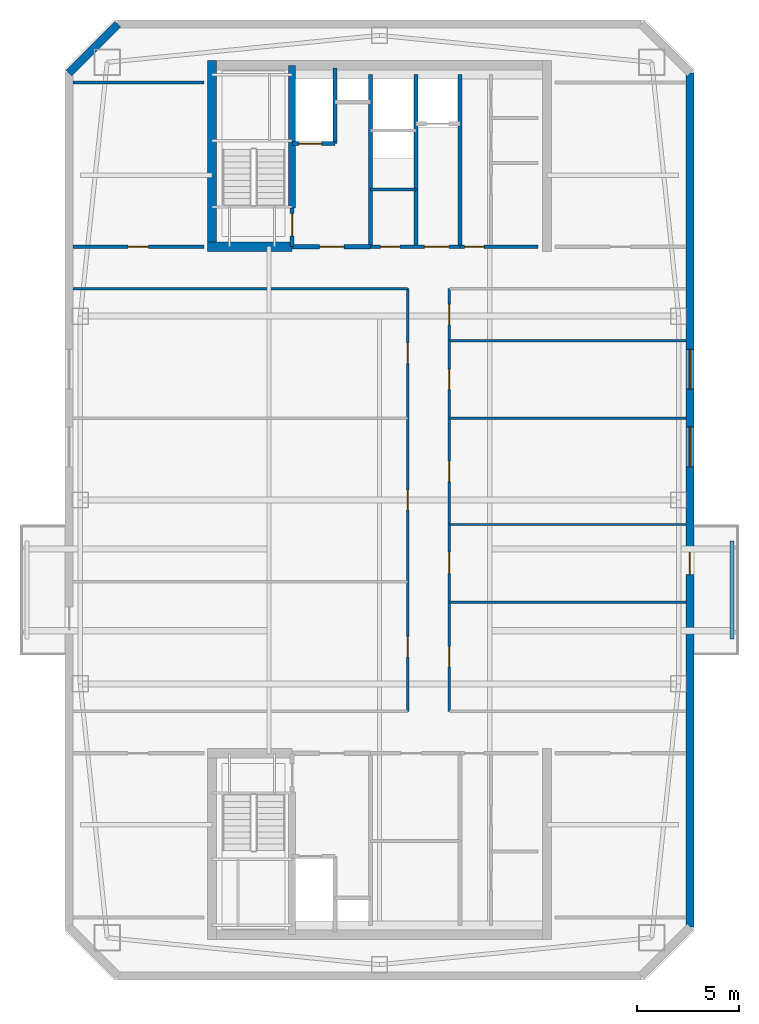
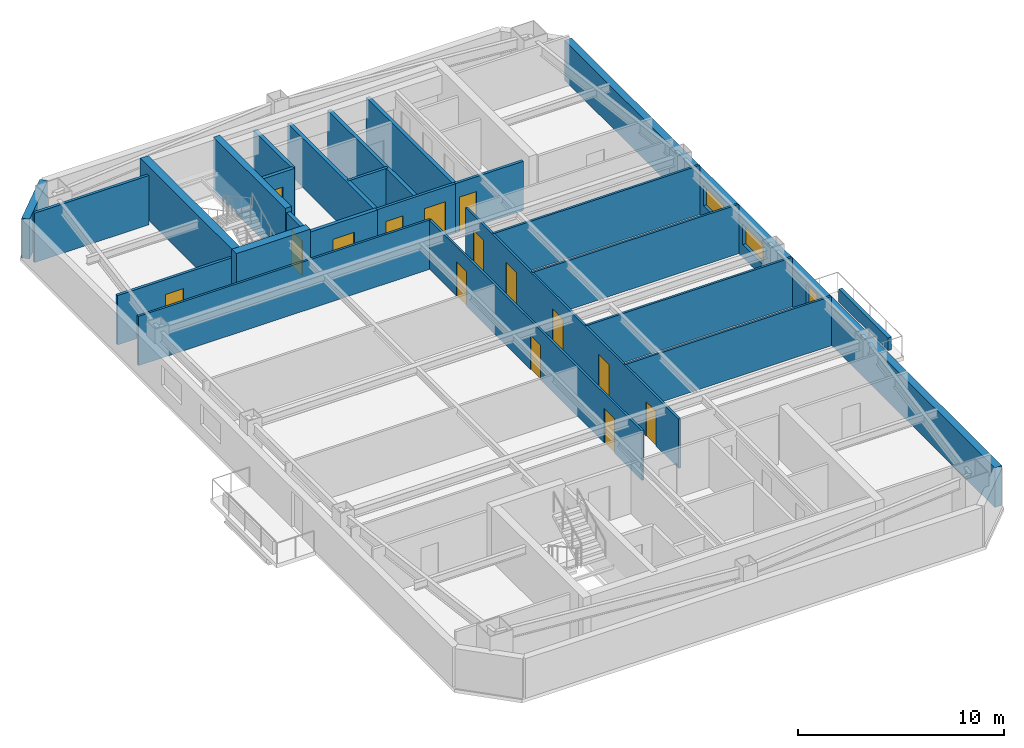
# One storey, part 3 of 6: 25 walls, 16 doors, 2 windows, 18 openings.
"""IFC4 building model written with IfcOpenShell, lengths in metres."""

from ifc_helpers import new_model, si_unit, direction, frame, frame_2d, origin, place, context, subcontext, project, spatial, rectangle, extrude, material, layer, layer_set, type_object, element, fill, save


model = new_model("IFC4")

# Units and contexts
model_context = context("Model", 3, precision=1e-05, world=origin(), true_north=direction((0.0, 1.0)))
body_context = subcontext(model_context, "Body", "Model", "MODEL_VIEW")
ifc_project = project(units=[si_unit("LENGTHUNIT", "METRE"), si_unit("AREAUNIT", "SQUARE_METRE"), si_unit("VOLUMEUNIT", "CUBIC_METRE"), si_unit("PLANEANGLEUNIT", "RADIAN"), si_unit("MASSUNIT", "GRAM", prefix="KILO")], contexts=[model_context])

# Site, building, storey
site_placement = place(None, origin())
site = spatial("IfcSite", under=ifc_project, at=site_placement, CompositionType="ELEMENT")
building_placement = place(site_placement, origin())
building = spatial("IfcBuilding", under=site, at=building_placement, Name="Qiaolan Cultural Towers", CompositionType="ELEMENT")
storey_placement = place(building_placement, frame((0.0, 0.0, 269.60009765625)))
storey = spatial("IfcBuildingStorey", under=building, at=storey_placement, Name="L74", CompositionType="ELEMENT", Elevation=269.60009765625)

# Walls
ifc_material_1 = material(Name="Concrete C50", Category="concrete")
ifc_layer_1 = layer(ifc_material_1, 0.35009765625)
ifc_layer_set_1 = layer_set([ifc_layer_1], Name="Concrete C50")
wall_type_1 = type_object("IfcWallType", Name="WL-CORE-350", PredefinedType="SHEAR", material=ifc_layer_set_1)
wall_1_placement = place(storey_placement, frame((25.719970703125, 48.300048828125, 0.0), z_axis=(0.0, 0.0, 1.0), x_axis=(0.0, 1.0, 0.0)))
element("IfcWall", 1, at=wall_1_placement, inside=storey, type_object=wall_type_1, Name="L74 T1-CN Stair Core Dividing Web", PredefinedType="SHEAR", context=body_context, shape_type="SweptSolid", body=[
    extrude(rectangle(XDim=6.97998046875, YDim=0.35009765625, at=frame_2d((3.489990234375, 0.0))), origin(), (0.0, 0.0, 1.0), 3.199951171875),
])
ifc_material_2 = material(Name="Concrete C50", Category="concrete")
ifc_layer_2 = layer(ifc_material_2, 0.449951171875)
ifc_layer_set_2 = layer_set([ifc_layer_2], Name="Concrete C50")
wall_type_2 = type_object("IfcWallType", Name="WL-CORE-450", PredefinedType="SHEAR", material=ifc_layer_set_2)
wall_2_placement = place(storey_placement, frame((21.800048828125, 46.175048828125, 0.0), z_axis=(0.0, 0.0, 1.0), x_axis=(0.0, 1.0, 0.0)))
element("IfcWall", 2, at=wall_2_placement, inside=storey, type_object=wall_type_2, Name="L74 T1-CN West Core Shear Wall", PredefinedType="SHEAR", context=body_context, shape_type="SweptSolid", body=[
    extrude(rectangle(XDim=9.329833984375, YDim=0.449951171875, at=frame_2d((4.6650390625, 0.0))), origin(), (0.0, 0.0, 1.0), 3.199951171875),
])
wall_3_placement = place(storey_placement, frame((21.574951171875, 46.39990234375, 0.0), z_axis=(0.0, 0.0, 1.0), x_axis=(1.0, 0.0, 0.0)))
element("IfcWall", 3, at=wall_3_placement, inside=storey, type_object=wall_type_2, Name="L74 T1-CN Stair Front Shear Wall", PredefinedType="SHEAR", context=body_context, shape_type="SweptSolid", body=[
    extrude(rectangle(XDim=4.14501953125, YDim=0.449951171875, at=frame_2d((2.072509765625, 0.0))), origin(), (0.0, 0.0, 1.0), 3.199951171875),
])
ifc_material_3 = material(Name="Precast Concrete C50 Honed Stone Pier", Category="masonry")
ifc_layer_3 = layer(ifc_material_3, 0.39990234375)
ifc_layer_set_3 = layer_set([ifc_layer_3], Name="Precast Concrete C50 Honed Stone Pier")
wall_type_3 = type_object("IfcWallType", Name="WL-EXT-PIER-400", PredefinedType="SOLIDWALL", material=ifc_layer_set_3)
wall_4_placement = place(storey_placement, frame((14.800048828125, 54.89990234375, 0.0), z_axis=(0.0, 0.0, 1.0), x_axis=(0.707070815327, 0.707142745217, 0.0)))
element("IfcWall", 4, at=wall_4_placement, inside=storey, type_object=wall_type_3, Name="L74 West Tower Precast Pier Facade Wall F2", PredefinedType="SOLIDWALL", context=body_context, shape_type="SweptSolid", body=[
    extrude(rectangle(XDim=3.39404296875, YDim=0.39990234375, at=frame_2d((1.697021484375, 0.0))), origin(), (0.0, 0.0, 1.0), 2.35986328125),
])

# Wall, openings, door, windows
wall_5_placement = place(storey_placement, frame((45.199951171875, 54.89990234375, 0.0), z_axis=(0.0, 0.0, 1.0), x_axis=(0.0, -1.0, 0.0)))
wall_5 = element("IfcWall", 5, at=wall_5_placement, inside=storey, type_object=wall_type_3, Name="L74 West Tower Precast Pier Facade Wall F5", PredefinedType="SOLIDWALL", context=body_context, shape_type="SweptSolid", body=[
    extrude(rectangle(XDim=41.7998046875, YDim=0.39990234375, at=frame_2d((20.89990234375, 0.0))), origin(), (0.0, 0.0, 1.0), 2.35986328125),
])
opening_1_placement = place(wall_5_placement, frame((17.324951171875, 0.0, 0.75)))
opening_1 = element("IfcOpeningElement", 6, at=opening_1_placement, cuts=wall_5, Name="Opening W-06", PredefinedType="OPENING", context=body_context, shape_type="SweptSolid", body=[
    extrude(rectangle(XDim=1.949951171875, YDim=1.2099609375, at=frame_2d((0.97509765625, 0.60498046875))), frame((0.0, 0.2099609375, 0.0), z_axis=(0.0, -1.0, 0.0), x_axis=(1.0, 0.0, 0.0)), (0.0, 0.0, 1.0), 0.419921875),
])
opening_2_placement = place(wall_5_placement, frame((13.52490234375, 0.0, 0.75)))
opening_2 = element("IfcOpeningElement", 7, at=opening_2_placement, cuts=wall_5, Name="Opening W-06", PredefinedType="OPENING", context=body_context, shape_type="SweptSolid", body=[
    extrude(rectangle(XDim=1.949951171875, YDim=1.2099609375, at=frame_2d((0.97509765625, 0.60498046875))), frame((0.0, 0.2099609375, 0.0), z_axis=(0.0, -1.0, 0.0), x_axis=(1.0, 0.0, 0.0)), (0.0, 0.0, 1.0), 0.419921875),
])
opening_3_placement = place(wall_5_placement, frame((23.449951171875, 0.0, 0.0)))
opening_3 = element("IfcOpeningElement", 8, at=opening_3_placement, cuts=wall_5, Name="Opening BD-01", PredefinedType="OPENING", context=body_context, shape_type="SweptSolid", body=[
    extrude(rectangle(XDim=1.10009765625, YDim=2.14990234375, at=frame_2d((0.550048828125, 1.074951171875))), frame((0.0, 0.2099609375, 0.0), z_axis=(0.0, -1.0, 0.0), x_axis=(1.0, 0.0, 0.0)), (0.0, 0.0, 1.0), 0.419921875),
])
ifc_material_4 = material(Name="Thermally Broken Aluminium Glazed Terrace Door", Category="aluminium")
door_type_1 = type_object("IfcDoorType", Name="DR-BAL-1100", OperationType="NOTDEFINED", PredefinedType="DOOR", material=ifc_material_4)
door_1_placement = place(opening_3_placement, origin())
door_1 = element("IfcDoor", 9, at=door_1_placement, inside=storey, type_object=door_type_1, Name="L74 T1 East Tree Balcony Door", OperationType="SINGLE_SWING_RIGHT", OverallHeight=2.14990234375, OverallWidth=1.10009765625, PredefinedType="DOOR", context=body_context, shape_type="SweptSolid", body=[
    extrude(rectangle(XDim=1.10009765625, YDim=2.14990234375, at=frame_2d((0.550048828125, 1.074951171875))), frame((0.0, 0.02490234375, 0.0), z_axis=(0.0, -1.0, 0.0), x_axis=(1.0, 0.0, 0.0)), (0.0, 0.0, 1.0), 0.050048828125),
])
fill(opening_3, door_1)
ifc_material_5 = material(Name="Thermally Broken Aluminium Triple Low-E Glazing", Category="aluminium")
window_type = type_object("IfcWindowType", Name="WN-CHIC-1950", PartitioningType="SINGLE_PANEL", PredefinedType="WINDOW", material=ifc_material_5)
window_1_placement = place(opening_1_placement, origin())
window_1 = element("IfcWindow", 10, at=window_1_placement, inside=storey, type_object=window_type, Name="L74 T1 E Chicago Bay Window 1", OverallHeight=1.2099609375, OverallWidth=1.949951171875, PartitioningType="TRIPLE_PANEL_VERTICAL", PredefinedType="WINDOW", context=body_context, shape_type="SweptSolid", body=[
    extrude(rectangle(XDim=1.949951171875, YDim=1.2099609375, at=frame_2d((0.97509765625, 0.60498046875))), frame((0.0, 0.030029296875, 0.0), z_axis=(0.0, -1.0, 0.0), x_axis=(1.0, 0.0, 0.0)), (0.0, 0.0, 1.0), 0.06005859375),
])
fill(opening_1, window_1)
window_2_placement = place(opening_2_placement, origin())
window_2 = element("IfcWindow", 11, at=window_2_placement, inside=storey, type_object=window_type, Name="L74 T1 E Chicago Bay Window 2", OverallHeight=1.2099609375, OverallWidth=1.949951171875, PartitioningType="TRIPLE_PANEL_VERTICAL", PredefinedType="WINDOW", context=body_context, shape_type="SweptSolid", body=[
    extrude(rectangle(XDim=1.949951171875, YDim=1.2099609375, at=frame_2d((0.97509765625, 0.60498046875))), frame((0.0, 0.030029296875, 0.0), z_axis=(0.0, -1.0, 0.0), x_axis=(1.0, 0.0, 0.0)), (0.0, 0.0, 1.0), 0.06005859375),
])
fill(opening_2, window_2)

# Wall, opening, door
ifc_material_6 = material(Name="Concrete C35 Fire Wall", Category="concrete")
ifc_layer_4 = layer(ifc_material_6, 0.199951171875)
ifc_layer_set_4 = layer_set([ifc_layer_4], Name="Concrete C35 Fire Wall")
wall_type_4 = type_object("IfcWallType", Name="WL-FIRE-200", PredefinedType="PARTITIONING", material=ifc_layer_set_4)
wall_6_placement = place(storey_placement, frame((25.719970703125, 46.39990234375, 0.0), z_axis=(0.0, 0.0, 1.0), x_axis=(0.0, 1.0, 0.0)))
wall_6 = element("IfcWall", 12, at=wall_6_placement, inside=storey, type_object=wall_type_4, Name="L74 T1-CN Smokeproof Stair Entry Wall", PredefinedType="PARTITIONING", context=body_context, shape_type="SweptSolid", body=[
    extrude(rectangle(XDim=1.900146484375, YDim=0.199951171875, at=frame_2d((0.9501953125, 0.0))), origin(), (0.0, 0.0, 1.0), 2.9248046875),
])
opening_4_placement = place(wall_6_placement, frame((0.52001953125, 0.0, 0.0)))
opening_4 = element("IfcOpeningElement", 13, at=opening_4_placement, cuts=wall_6, Name="Opening FD-04", PredefinedType="OPENING", context=body_context, shape_type="SweptSolid", body=[
    extrude(rectangle(XDim=1.10009765625, YDim=2.050048828125, at=frame_2d((0.550048828125, 1.02490234375))), frame((0.0, 0.10986328125, 0.0), z_axis=(0.0, -1.0, 0.0), x_axis=(1.0, 0.0, 0.0)), (0.0, 0.0, 1.0), 0.219970703125),
])
ifc_material_7 = material(Name="Galvanized Steel Command Fire Door", Category="steel")
door_type_2 = type_object("IfcDoorType", Name="DR-FD90-1100", OperationType="NOTDEFINED", PredefinedType="DOOR", material=ifc_material_7)
door_2_placement = place(opening_4_placement, origin())
door_2 = element("IfcDoor", 14, at=door_2_placement, inside=storey, type_object=door_type_2, Name="L74 ST-W2 Smokeproof Stair Fire Door", OperationType="SINGLE_SWING_LEFT", OverallHeight=2.050048828125, OverallWidth=1.10009765625, PredefinedType="DOOR", context=body_context, shape_type="SweptSolid", body=[
    extrude(rectangle(XDim=1.10009765625, YDim=2.050048828125, at=frame_2d((0.550048828125, 1.02490234375))), frame((0.0, 0.02490234375, 0.0), z_axis=(0.0, -1.0, 0.0), x_axis=(1.0, 0.0, 0.0)), (0.0, 0.0, 1.0), 0.050048828125),
])
fill(opening_4, door_2)

# Wall
wall_7_placement = place(storey_placement, frame((29.550048828125, 46.39990234375, 0.0), z_axis=(0.0, 0.0, 1.0), x_axis=(0.0, 1.0, 0.0)))
element("IfcWall", 15, at=wall_7_placement, inside=storey, type_object=wall_type_4, Name="L74 T1-CN Firefighting Zone Wall", PredefinedType="PARTITIONING", context=body_context, shape_type="SweptSolid", body=[
    extrude(rectangle(XDim=8.43017578125, YDim=0.199951171875, at=frame_2d((4.215087890625, 0.0))), origin(), (0.0, 0.0, 1.0), 2.9248046875),
])

# Wall, opening, door
wall_8_placement = place(storey_placement, frame((25.719970703125, 46.39990234375, 0.0), z_axis=(0.0, 0.0, 1.0), x_axis=(1.0, 0.0, 0.0)))
wall_8 = element("IfcWall", 16, at=wall_8_placement, inside=storey, type_object=wall_type_4, Name="L74 T1-CN Firefighting Lobby Front Wall", PredefinedType="PARTITIONING", context=body_context, shape_type="SweptSolid", body=[
    extrude(rectangle(XDim=3.830078125, YDim=0.199951171875, at=frame_2d((1.9150390625, 0.0))), origin(), (0.0, 0.0, 1.0), 2.9248046875),
])
opening_5_placement = place(wall_8_placement, frame((1.35009765625, 0.0, 0.0)))
opening_5 = element("IfcOpeningElement", 17, at=opening_5_placement, cuts=wall_8, Name="Opening FD-03", PredefinedType="OPENING", context=body_context, shape_type="SweptSolid", body=[
    extrude(rectangle(XDim=1.199951171875, YDim=2.050048828125, at=frame_2d((0.60009765625, 1.02490234375))), frame((0.0, 0.10986328125, 0.0), z_axis=(0.0, -1.0, 0.0), x_axis=(1.0, 0.0, 0.0)), (0.0, 0.0, 1.0), 0.219970703125),
])
ifc_material_8 = material(Name="Galvanized Steel Smokeproof Lobby Fire Door", Category="steel")
door_type_3 = type_object("IfcDoorType", Name="DR-FD90-1200", OperationType="NOTDEFINED", PredefinedType="DOOR", material=ifc_material_8)
door_3_placement = place(opening_5_placement, origin())
door_3 = element("IfcDoor", 18, at=door_3_placement, inside=storey, type_object=door_type_3, Name="L74 FFL-W2 Firefighting Lobby Fire Door", OperationType="SINGLE_SWING_LEFT", OverallHeight=2.050048828125, OverallWidth=1.199951171875, PredefinedType="DOOR", context=body_context, shape_type="SweptSolid", body=[
    extrude(rectangle(XDim=1.199951171875, YDim=2.050048828125, at=frame_2d((0.60009765625, 1.02490234375))), frame((0.0, 0.02490234375, 0.0), z_axis=(0.0, -1.0, 0.0), x_axis=(1.0, 0.0, 0.0)), (0.0, 0.0, 1.0), 0.050048828125),
])
fill(opening_5, door_3)

wall_9_placement = place(storey_placement, frame((25.719970703125, 51.449951171875, 0.0), z_axis=(0.0, 0.0, 1.0), x_axis=(1.0, 0.0, 0.0)))
wall_9 = element("IfcWall", 19, at=wall_9_placement, inside=storey, type_object=wall_type_4, Name="L74 T1-CN Firefighting Shaft Front Wall", PredefinedType="PARTITIONING", context=body_context, shape_type="SweptSolid", body=[
    extrude(rectangle(XDim=2.10009765625, YDim=0.199951171875, at=frame_2d((1.050048828125, 0.0))), origin(), (0.0, 0.0, 1.0), 2.9248046875),
])
opening_6_placement = place(wall_9_placement, frame((0.35009765625, 0.0, 0.0)))
opening_6 = element("IfcOpeningElement", 20, at=opening_6_placement, cuts=wall_9, Name="Opening LD-01", PredefinedType="OPENING", context=body_context, shape_type="SweptSolid", body=[
    extrude(rectangle(XDim=1.10009765625, YDim=2.050048828125, at=frame_2d((0.550048828125, 1.02490234375))), frame((0.0, 0.10986328125, 0.0), z_axis=(0.0, -1.0, 0.0), x_axis=(1.0, 0.0, 0.0)), (0.0, 0.0, 1.0), 0.219970703125),
])
ifc_material_9 = material(Name="Brushed Stainless Steel S30408 Centre-Parting Lift Landing Door", Category="steel")
door_type_4 = type_object("IfcDoorType", Name="DR-LIFT-1100", OperationType="NOTDEFINED", PredefinedType="DOOR", material=ifc_material_9)
door_4_placement = place(opening_6_placement, origin())
door_4 = element("IfcDoor", 21, at=door_4_placement, inside=storey, type_object=door_type_4, Name="L74 FFL-W2 Firefighting Lift Landing Door", OperationType="DOUBLE_DOOR_SLIDING", OverallHeight=2.050048828125, OverallWidth=1.10009765625, PredefinedType="DOOR", context=body_context, shape_type="SweptSolid", body=[
    extrude(rectangle(XDim=1.10009765625, YDim=2.050048828125, at=frame_2d((0.550048828125, 1.02490234375))), frame((0.0, 0.02490234375, 0.0), z_axis=(0.0, -1.0, 0.0), x_axis=(1.0, 0.0, 0.0)), (0.0, 0.0, 1.0), 0.050048828125),
])
fill(opening_6, door_4)

# Walls
wall_10_placement = place(storey_placement, frame((27.820068359375, 51.449951171875, 0.0), z_axis=(0.0, 0.0, 1.0), x_axis=(0.0, 1.0, 0.0)))
element("IfcWall", 22, at=wall_10_placement, inside=storey, type_object=wall_type_4, Name="L74 T1-CN Firefighting Hoistway East Wall", PredefinedType="PARTITIONING", context=body_context, shape_type="SweptSolid", body=[
    extrude(rectangle(XDim=3.699951171875, YDim=0.199951171875, at=frame_2d((1.85009765625, 0.0))), origin(), (0.0, 0.0, 1.0), 2.9248046875),
])
for number, where, z_axis, x_axis, name in (
    (23, (33.949951171875, 46.39990234375, 0.0), (0.0, 0.0, 1.0), (0.0, 1.0, 0.0), "L74 T1-CN Lift Core East Wall"),
    (24, (31.780029296875, 46.39990234375, 0.0), (0.0, 0.0, 1.0), (0.0, 1.0, 0.0), "L74 T1-CN Sky Shuttle Lift Zone Wall"),
):
    element("IfcWall", number, at=place(storey_placement, frame(where, z_axis=z_axis, x_axis=x_axis)), inside=storey, type_object=wall_type_4, Name=name, PredefinedType="PARTITIONING", context=body_context, shape_type="SweptSolid", body=[
        extrude(rectangle(XDim=8.43017578125, YDim=0.199951171875, at=frame_2d((4.215087890625, 0.0))), origin(), (0.0, 0.0, 1.0), 2.9248046875),
    ])
ifc_material_10 = material(Name="Gypsum Stud Acoustic Partition", Category="gypsum")
ifc_layer_5 = layer(ifc_material_10, 0.1201171875)
ifc_layer_set_5 = layer_set([ifc_layer_5], Name="Gypsum Stud Acoustic Partition")
wall_type_5 = type_object("IfcWallType", Name="WL-PART-120", PredefinedType="PARTITIONING", material=ifc_layer_set_5)
wall_11_placement = place(storey_placement, frame((15.0, 44.35009765625, 0.0), z_axis=(0.0, 0.0, 1.0), x_axis=(1.0, 0.0, 0.0)))
element("IfcWall", 25, at=wall_11_placement, inside=storey, type_object=wall_type_5, Name="L74 T1 North Corridor Left Wall", PredefinedType="PARTITIONING", context=body_context, shape_type="SweptSolid", body=[
    extrude(rectangle(XDim=16.375, YDim=0.1201171875, at=frame_2d((8.1875, 0.0))), origin(), (0.0, 0.0, 1.0), 2.9248046875),
])

# Wall, openings, doors
wall_12_placement = place(storey_placement, frame((31.375, 23.64990234375, 0.0), z_axis=(0.0, 0.0, 1.0), x_axis=(0.0, 1.0, 0.0)))
wall_12 = element("IfcWall", 26, at=wall_12_placement, inside=storey, type_object=wall_type_5, Name="L74 T1 West Spine Wall", PredefinedType="PARTITIONING", context=body_context, shape_type="SweptSolid", body=[
    extrude(rectangle(XDim=20.7001953125, YDim=0.1201171875, at=frame_2d((10.35009765625, 0.0))), origin(), (0.0, 0.0, 1.0), 2.9248046875),
])
opening_7_placement = place(wall_12_placement, frame((2.675048828125, 0.0, 0.0)))
opening_7 = element("IfcOpeningElement", 27, at=opening_7_placement, cuts=wall_12, Name="Opening ID-04", PredefinedType="OPENING", context=body_context, shape_type="SweptSolid", body=[
    extrude(rectangle(XDim=1.0, YDim=2.050048828125, at=frame_2d((0.5, 1.02490234375))), frame((0.0, 0.070068359375, 0.0), z_axis=(0.0, -1.0, 0.0), x_axis=(1.0, 0.0, 0.0)), (0.0, 0.0, 1.0), 0.14013671875),
])
opening_8_placement = place(wall_12_placement, frame((9.85009765625, 0.0, 0.0)))
opening_8 = element("IfcOpeningElement", 28, at=opening_8_placement, cuts=wall_12, Name="Opening ID-04", PredefinedType="OPENING", context=body_context, shape_type="SweptSolid", body=[
    extrude(rectangle(XDim=1.0, YDim=2.050048828125, at=frame_2d((0.5, 1.02490234375))), frame((0.0, 0.070068359375, 0.0), z_axis=(0.0, -1.0, 0.0), x_axis=(1.0, 0.0, 0.0)), (0.0, 0.0, 1.0), 0.14013671875),
])
opening_9_placement = place(wall_12_placement, frame((17.02490234375, 0.0, 0.0)))
opening_9 = element("IfcOpeningElement", 29, at=opening_9_placement, cuts=wall_12, Name="Opening ID-04", PredefinedType="OPENING", context=body_context, shape_type="SweptSolid", body=[
    extrude(rectangle(XDim=1.0, YDim=2.050048828125, at=frame_2d((0.5, 1.02490234375))), frame((0.0, 0.070068359375, 0.0), z_axis=(0.0, -1.0, 0.0), x_axis=(1.0, 0.0, 0.0)), (0.0, 0.0, 1.0), 0.14013671875),
])
ifc_material_11 = material(Name="Oak Veneer Acoustic Office Door", Category="timber")
door_type_5 = type_object("IfcDoorType", Name="DR-INT-1000", OperationType="NOTDEFINED", PredefinedType="DOOR", material=ifc_material_11)
door_5_placement = place(opening_7_placement, origin())
door_5 = element("IfcDoor", 30, at=door_5_placement, inside=storey, type_object=door_type_5, Name="L74 T1 Observatory Cultural Salon Door", OperationType="SINGLE_SWING_LEFT", OverallHeight=2.050048828125, OverallWidth=1.0, PredefinedType="DOOR", context=body_context, shape_type="SweptSolid", body=[
    extrude(rectangle(XDim=1.0, YDim=2.050048828125, at=frame_2d((0.5, 1.02490234375))), frame((0.0, 0.02490234375, 0.0), z_axis=(0.0, -1.0, 0.0), x_axis=(1.0, 0.0, 0.0)), (0.0, 0.0, 1.0), 0.050048828125),
])
fill(opening_7, door_5)
door_6_placement = place(opening_8_placement, origin())
door_6 = element("IfcDoor", 31, at=door_6_placement, inside=storey, type_object=door_type_5, Name="L74 T1 Observatory Cultural Salon Door", OperationType="SINGLE_SWING_RIGHT", OverallHeight=2.050048828125, OverallWidth=1.0, PredefinedType="DOOR", context=body_context, shape_type="SweptSolid", body=[
    extrude(rectangle(XDim=1.0, YDim=2.050048828125, at=frame_2d((0.5, 1.02490234375))), frame((0.0, 0.02490234375, 0.0), z_axis=(0.0, -1.0, 0.0), x_axis=(1.0, 0.0, 0.0)), (0.0, 0.0, 1.0), 0.050048828125),
])
fill(opening_8, door_6)
door_7_placement = place(opening_9_placement, origin())
door_7 = element("IfcDoor", 32, at=door_7_placement, inside=storey, type_object=door_type_5, Name="L74 T1 Observatory Lounge Door", OperationType="SINGLE_SWING_LEFT", OverallHeight=2.050048828125, OverallWidth=1.0, PredefinedType="DOOR", context=body_context, shape_type="SweptSolid", body=[
    extrude(rectangle(XDim=1.0, YDim=2.050048828125, at=frame_2d((0.5, 1.02490234375))), frame((0.0, 0.02490234375, 0.0), z_axis=(0.0, -1.0, 0.0), x_axis=(1.0, 0.0, 0.0)), (0.0, 0.0, 1.0), 0.050048828125),
])
fill(opening_9, door_7)

wall_13_placement = place(storey_placement, frame((33.425048828125, 23.64990234375, 0.0), z_axis=(0.0, 0.0, 1.0), x_axis=(0.0, 1.0, 0.0)))
wall_13 = element("IfcWall", 33, at=wall_13_placement, inside=storey, type_object=wall_type_5, Name="L74 T1 East Spine Wall", PredefinedType="PARTITIONING", context=body_context, shape_type="SweptSolid", body=[
    extrude(rectangle(XDim=20.7001953125, YDim=0.1201171875, at=frame_2d((10.35009765625, 0.0))), origin(), (0.0, 0.0, 1.0), 2.9248046875),
])
opening_10_placement = place(wall_13_placement, frame((2.175048828125, 0.0, 0.0)))
opening_10 = element("IfcOpeningElement", 34, at=opening_10_placement, cuts=wall_13, Name="Opening ID-04", PredefinedType="OPENING", context=body_context, shape_type="SweptSolid", body=[
    extrude(rectangle(XDim=1.0, YDim=2.050048828125, at=frame_2d((0.5, 1.02490234375))), frame((0.0, 0.070068359375, 0.0), z_axis=(0.0, -1.0, 0.0), x_axis=(1.0, 0.0, 0.0)), (0.0, 0.0, 1.0), 0.14013671875),
])
opening_11_placement = place(wall_13_placement, frame((6.75, 0.0, 0.0)))
opening_11 = element("IfcOpeningElement", 35, at=opening_11_placement, cuts=wall_13, Name="Opening ID-07", PredefinedType="OPENING", context=body_context, shape_type="SweptSolid", body=[
    extrude(rectangle(XDim=1.050048828125, YDim=2.050048828125, at=frame_2d((0.52490234375, 1.02490234375))), frame((0.0, 0.070068359375, 0.0), z_axis=(0.0, -1.0, 0.0), x_axis=(1.0, 0.0, 0.0)), (0.0, 0.0, 1.0), 0.14013671875),
])
opening_12_placement = place(wall_13_placement, frame((11.25, 0.0, 0.0)))
opening_12 = element("IfcOpeningElement", 36, at=opening_12_placement, cuts=wall_13, Name="Opening ID-04", PredefinedType="OPENING", context=body_context, shape_type="SweptSolid", body=[
    extrude(rectangle(XDim=1.0, YDim=2.050048828125, at=frame_2d((0.5, 1.02490234375))), frame((0.0, 0.070068359375, 0.0), z_axis=(0.0, -1.0, 0.0), x_axis=(1.0, 0.0, 0.0)), (0.0, 0.0, 1.0), 0.14013671875),
])
opening_13_placement = place(wall_13_placement, frame((15.75, 0.0, 0.0)))
opening_13 = element("IfcOpeningElement", 37, at=opening_13_placement, cuts=wall_13, Name="Opening ID-04", PredefinedType="OPENING", context=body_context, shape_type="SweptSolid", body=[
    extrude(rectangle(XDim=1.0, YDim=2.050048828125, at=frame_2d((0.5, 1.02490234375))), frame((0.0, 0.070068359375, 0.0), z_axis=(0.0, -1.0, 0.0), x_axis=(1.0, 0.0, 0.0)), (0.0, 0.0, 1.0), 0.14013671875),
])
opening_14_placement = place(wall_13_placement, frame((18.925048828125, 0.0, 0.0)))
opening_14 = element("IfcOpeningElement", 38, at=opening_14_placement, cuts=wall_13, Name="Opening ID-04", PredefinedType="OPENING", context=body_context, shape_type="SweptSolid", body=[
    extrude(rectangle(XDim=1.0, YDim=2.050048828125, at=frame_2d((0.5, 1.02490234375))), frame((0.0, 0.070068359375, 0.0), z_axis=(0.0, -1.0, 0.0), x_axis=(1.0, 0.0, 0.0)), (0.0, 0.0, 1.0), 0.14013671875),
])
door_8_placement = place(opening_10_placement, origin())
door_8 = element("IfcDoor", 39, at=door_8_placement, inside=storey, type_object=door_type_5, Name="L74 T1 Wellness Consultation Room Door", OperationType="SINGLE_SWING_RIGHT", OverallHeight=2.050048828125, OverallWidth=1.0, PredefinedType="DOOR", context=body_context, shape_type="SweptSolid", body=[
    extrude(rectangle(XDim=1.0, YDim=2.050048828125, at=frame_2d((0.5, 1.02490234375))), frame((0.0, 0.02490234375, 0.0), z_axis=(0.0, -1.0, 0.0), x_axis=(1.0, 0.0, 0.0)), (0.0, 0.0, 1.0), 0.050048828125),
])
fill(opening_10, door_8)
door_9_placement = place(opening_12_placement, origin())
door_9 = element("IfcDoor", 40, at=door_9_placement, inside=storey, type_object=door_type_5, Name="L74 T1 Sky Kitchen Door", OperationType="SINGLE_SWING_RIGHT", OverallHeight=2.050048828125, OverallWidth=1.0, PredefinedType="DOOR", context=body_context, shape_type="SweptSolid", body=[
    extrude(rectangle(XDim=1.0, YDim=2.050048828125, at=frame_2d((0.5, 1.02490234375))), frame((0.0, 0.02490234375, 0.0), z_axis=(0.0, -1.0, 0.0), x_axis=(1.0, 0.0, 0.0)), (0.0, 0.0, 1.0), 0.050048828125),
])
fill(opening_12, door_9)
door_10_placement = place(opening_13_placement, origin())
door_10 = element("IfcDoor", 41, at=door_10_placement, inside=storey, type_object=door_type_5, Name="L74 T1 Sky Kitchen Door", OperationType="SINGLE_SWING_LEFT", OverallHeight=2.050048828125, OverallWidth=1.0, PredefinedType="DOOR", context=body_context, shape_type="SweptSolid", body=[
    extrude(rectangle(XDim=1.0, YDim=2.050048828125, at=frame_2d((0.5, 1.02490234375))), frame((0.0, 0.02490234375, 0.0), z_axis=(0.0, -1.0, 0.0), x_axis=(1.0, 0.0, 0.0)), (0.0, 0.0, 1.0), 0.050048828125),
])
fill(opening_13, door_10)
door_11_placement = place(opening_14_placement, origin())
door_11 = element("IfcDoor", 42, at=door_11_placement, inside=storey, type_object=door_type_5, Name="L74 T1 Observatory Gift Shop Door", OperationType="SINGLE_SWING_RIGHT", OverallHeight=2.050048828125, OverallWidth=1.0, PredefinedType="DOOR", context=body_context, shape_type="SweptSolid", body=[
    extrude(rectangle(XDim=1.0, YDim=2.050048828125, at=frame_2d((0.5, 1.02490234375))), frame((0.0, 0.02490234375, 0.0), z_axis=(0.0, -1.0, 0.0), x_axis=(1.0, 0.0, 0.0)), (0.0, 0.0, 1.0), 0.050048828125),
])
fill(opening_14, door_11)
ifc_material_12 = material(Name="Oak Veneer Consultation Door", Category="timber")
door_type_6 = type_object("IfcDoorType", Name="DR-INT-1050", OperationType="NOTDEFINED", PredefinedType="DOOR", material=ifc_material_12)
door_12_placement = place(opening_11_placement, origin())
door_12 = element("IfcDoor", 43, at=door_12_placement, inside=storey, type_object=door_type_6, Name="L74 T1 Wellness Consultation Room Door", OperationType="SINGLE_SWING_LEFT", OverallHeight=2.050048828125, OverallWidth=1.050048828125, PredefinedType="DOOR", context=body_context, shape_type="SweptSolid", body=[
    extrude(rectangle(XDim=1.050048828125, YDim=2.050048828125, at=frame_2d((0.52490234375, 1.02490234375))), frame((0.0, 0.02490234375, 0.0), z_axis=(0.0, -1.0, 0.0), x_axis=(1.0, 0.0, 0.0)), (0.0, 0.0, 1.0), 0.050048828125),
])
fill(opening_11, door_12)

# Walls
for number, where, z_axis, x_axis, name in (
    (44, (33.425048828125, 29.0, 0.0), (0.0, 0.0, 1.0), (1.0, 0.0, 0.0), "L74 T1 East Partition 1"),
    (45, (33.425048828125, 32.800048828125, 0.0), (0.0, 0.0, 1.0), (1.0, 0.0, 0.0), "L74 T1 East Partition 2"),
    (46, (33.425048828125, 38.0, 0.0), (0.0, 0.0, 1.0), (1.0, 0.0, 0.0), "L74 T1 East Partition 3"),
    (47, (33.425048828125, 41.800048828125, 0.0), (0.0, 0.0, 1.0), (1.0, 0.0, 0.0), "L74 T1 East Partition 4"),
):
    element("IfcWall", number, at=place(storey_placement, frame(where, z_axis=z_axis, x_axis=x_axis)), inside=storey, type_object=wall_type_5, Name=name, PredefinedType="PARTITIONING", context=body_context, shape_type="SweptSolid", body=[
        extrude(rectangle(XDim=11.574951171875, YDim=0.1201171875, at=frame_2d((5.78759765625, 0.0))), origin(), (0.0, 0.0, 1.0), 2.9248046875),
    ])

# Wall, openings, doors
ifc_material_13 = material(Name="Autoclaved Aerated Concrete Block B06", Category="concrete")
ifc_layer_6 = layer(ifc_material_13, 0.14990234375)
ifc_layer_set_6 = layer_set([ifc_layer_6], Name="Autoclaved Aerated Concrete Block B06")
wall_type_6 = type_object("IfcWallType", Name="WL-PART-150", PredefinedType="PARTITIONING", material=ifc_layer_set_6)
wall_14_placement = place(storey_placement, frame((29.550048828125, 46.39990234375, 0.0), z_axis=(0.0, 0.0, 1.0), x_axis=(1.0, 0.0, 0.0)))
wall_14 = element("IfcWall", 48, at=wall_14_placement, inside=storey, type_object=wall_type_6, Name="L74 T1-CN High-Zone Lift Lobby Wall", PredefinedType="PARTITIONING", context=body_context, shape_type="SweptSolid", body=[
    extrude(rectangle(XDim=4.39990234375, YDim=0.14990234375, at=frame_2d((2.199951171875, 0.0))), origin(), (0.0, 0.0, 1.0), 2.9248046875),
])
opening_15_placement = place(wall_14_placement, frame((0.5, 0.0, 0.0)))
opening_15 = element("IfcOpeningElement", 49, at=opening_15_placement, cuts=wall_14, Name="Opening ID-05", PredefinedType="OPENING", context=body_context, shape_type="SweptSolid", body=[
    extrude(rectangle(XDim=0.949951171875, YDim=2.050048828125, at=frame_2d((0.47509765625, 1.02490234375))), frame((0.0, 0.0849609375, 0.0), z_axis=(0.0, -1.0, 0.0), x_axis=(1.0, 0.0, 0.0)), (0.0, 0.0, 1.0), 0.169921875),
])
opening_16_placement = place(wall_14_placement, frame((2.64990234375, 0.0, 0.0)))
opening_16 = element("IfcOpeningElement", 50, at=opening_16_placement, cuts=wall_14, Name="Opening FD-06", PredefinedType="OPENING", context=body_context, shape_type="SweptSolid", body=[
    extrude(rectangle(XDim=1.199951171875, YDim=2.050048828125, at=frame_2d((0.60009765625, 1.02490234375))), frame((0.0, 0.0849609375, 0.0), z_axis=(0.0, -1.0, 0.0), x_axis=(1.0, 0.0, 0.0)), (0.0, 0.0, 1.0), 0.169921875),
])
ifc_material_14 = material(Name="Painted Steel Plant Fire Door", Category="steel")
door_type_7 = type_object("IfcDoorType", Name="DR-FD60-1200", OperationType="NOTDEFINED", PredefinedType="DOOR", material=ifc_material_14)
door_13_placement = place(opening_16_placement, origin())
door_13 = element("IfcDoor", 51, at=door_13_placement, inside=storey, type_object=door_type_7, Name="L74 Sky Shuttle Lift Lobby Door", OperationType="SINGLE_SWING_RIGHT", OverallHeight=2.050048828125, OverallWidth=1.199951171875, PredefinedType="DOOR", context=body_context, shape_type="SweptSolid", body=[
    extrude(rectangle(XDim=1.199951171875, YDim=2.050048828125, at=frame_2d((0.60009765625, 1.02490234375))), frame((0.0, 0.02490234375, 0.0), z_axis=(0.0, -1.0, 0.0), x_axis=(1.0, 0.0, 0.0)), (0.0, 0.0, 1.0), 0.050048828125),
])
fill(opening_16, door_13)
ifc_material_15 = material(Name="Fire-Rated Laminate Accessible Core Door", Category="timber")
door_type_8 = type_object("IfcDoorType", Name="DR-INT-950", OperationType="NOTDEFINED", PredefinedType="DOOR", material=ifc_material_15)
door_14_placement = place(opening_15_placement, origin())
door_14 = element("IfcDoor", 52, at=door_14_placement, inside=storey, type_object=door_type_8, Name="L74 Reclaimed Server Room Door", OperationType="SINGLE_SWING_LEFT", OverallHeight=2.050048828125, OverallWidth=0.949951171875, PredefinedType="DOOR", context=body_context, shape_type="SweptSolid", body=[
    extrude(rectangle(XDim=0.949951171875, YDim=2.050048828125, at=frame_2d((0.47509765625, 1.02490234375))), frame((0.0, 0.02490234375, 0.0), z_axis=(0.0, -1.0, 0.0), x_axis=(1.0, 0.0, 0.0)), (0.0, 0.0, 1.0), 0.050048828125),
])
fill(opening_15, door_14)

# Wall
wall_15_placement = place(storey_placement, frame((29.550048828125, 49.199951171875, 0.0), z_axis=(0.0, 0.0, 1.0), x_axis=(1.0, 0.0, 0.0)))
element("IfcWall", 53, at=wall_15_placement, inside=storey, type_object=wall_type_6, Name="L74 T1-CN High-Zone Reclaimed Split 1", PredefinedType="PARTITIONING", context=body_context, shape_type="SweptSolid", body=[
    extrude(rectangle(XDim=2.22998046875, YDim=0.14990234375, at=frame_2d((1.114990234375, 0.0))), origin(), (0.0, 0.0, 1.0), 2.9248046875),
])

# Wall, opening, door
wall_16_placement = place(storey_placement, frame((33.949951171875, 46.39990234375, 0.0), z_axis=(0.0, 0.0, 1.0), x_axis=(1.0, 0.0, 0.0)))
wall_16 = element("IfcWall", 54, at=wall_16_placement, inside=storey, type_object=wall_type_6, Name="L74 T1-CN Sanitary Core Front Wall", PredefinedType="PARTITIONING", context=body_context, shape_type="SweptSolid", body=[
    extrude(rectangle(XDim=3.800048828125, YDim=0.14990234375, at=frame_2d((1.89990234375, 0.0))), origin(), (0.0, 0.0, 1.0), 2.9248046875),
])
opening_17_placement = place(wall_16_placement, frame((0.219970703125, 0.0, 0.0)))
opening_17 = element("IfcOpeningElement", 55, at=opening_17_placement, cuts=wall_16, Name="Opening ID-05", PredefinedType="OPENING", context=body_context, shape_type="SweptSolid", body=[
    extrude(rectangle(XDim=0.949951171875, YDim=2.050048828125, at=frame_2d((0.47509765625, 1.02490234375))), frame((0.0, 0.0849609375, 0.0), z_axis=(0.0, -1.0, 0.0), x_axis=(1.0, 0.0, 0.0)), (0.0, 0.0, 1.0), 0.169921875),
])
door_15_placement = place(opening_17_placement, origin())
door_15 = element("IfcDoor", 56, at=door_15_placement, inside=storey, type_object=door_type_8, Name="L74 Sanitary Vestibule Door", OperationType="SINGLE_SWING_LEFT", OverallHeight=2.050048828125, OverallWidth=0.949951171875, PredefinedType="DOOR", context=body_context, shape_type="SweptSolid", body=[
    extrude(rectangle(XDim=0.949951171875, YDim=2.050048828125, at=frame_2d((0.47509765625, 1.02490234375))), frame((0.0, 0.02490234375, 0.0), z_axis=(0.0, -1.0, 0.0), x_axis=(1.0, 0.0, 0.0)), (0.0, 0.0, 1.0), 0.050048828125),
])
fill(opening_17, door_15)

# Wall
wall_17_placement = place(storey_placement, frame((15.0, 54.449951171875, 0.0), z_axis=(0.0, 0.0, 1.0), x_axis=(1.0, 0.0, 0.0)))
element("IfcWall", 57, at=wall_17_placement, inside=storey, type_object=wall_type_6, Name="L74 T1 Flank Wall FLK-NW", PredefinedType="PARTITIONING", context=body_context, shape_type="SweptSolid", body=[
    extrude(rectangle(XDim=6.39990234375, YDim=0.14990234375, at=frame_2d((3.199951171875, 0.0))), origin(), (0.0, 0.0, 1.0), 2.9248046875),
])

# Wall, opening, door
wall_18_placement = place(storey_placement, frame((15.0, 46.39990234375, 0.0), z_axis=(0.0, 0.0, 1.0), x_axis=(1.0, 0.0, 0.0)))
wall_18 = element("IfcWall", 58, at=wall_18_placement, inside=storey, type_object=wall_type_6, Name="L74 T1 Flank Front FLK-NW", PredefinedType="PARTITIONING", context=body_context, shape_type="SweptSolid", body=[
    extrude(rectangle(XDim=6.39990234375, YDim=0.14990234375, at=frame_2d((3.199951171875, 0.0))), origin(), (0.0, 0.0, 1.0), 2.9248046875),
])
opening_18_placement = place(wall_18_placement, frame((2.68798828125, 0.0, 0.0)))
opening_18 = element("IfcOpeningElement", 59, at=opening_18_placement, cuts=wall_18, Name="Opening ID-04", PredefinedType="OPENING", context=body_context, shape_type="SweptSolid", body=[
    extrude(rectangle(XDim=1.0, YDim=2.050048828125, at=frame_2d((0.5, 1.02490234375))), frame((0.0, 0.0849609375, 0.0), z_axis=(0.0, -1.0, 0.0), x_axis=(1.0, 0.0, 0.0)), (0.0, 0.0, 1.0), 0.169921875),
])
door_16_placement = place(opening_18_placement, origin())
door_16 = element("IfcDoor", 60, at=door_16_placement, inside=storey, type_object=door_type_5, Name="L74 T1 Corner Studio Door", OperationType="SINGLE_SWING_LEFT", OverallHeight=2.050048828125, OverallWidth=1.0, PredefinedType="DOOR", context=body_context, shape_type="SweptSolid", body=[
    extrude(rectangle(XDim=1.0, YDim=2.050048828125, at=frame_2d((0.5, 1.02490234375))), frame((0.0, 0.02490234375, 0.0), z_axis=(0.0, -1.0, 0.0), x_axis=(1.0, 0.0, 0.0)), (0.0, 0.0, 1.0), 0.050048828125),
])
fill(opening_18, door_16)

# Wall
ifc_material_16 = material(Name="Precast Concrete C45 Tree Planter Upstand", Category="concrete")
ifc_layer_7 = layer(ifc_material_16, 0.199951171875)
ifc_layer_set_7 = layer_set([ifc_layer_7], Name="Precast Concrete C45 Tree Planter Upstand")
wall_type_7 = type_object("IfcWallType", Name="WL-PLANTER-200", PredefinedType="PARAPET", material=ifc_layer_set_7)
wall_19_placement = place(storey_placement, frame((47.25, 27.199951171875, 0.0), z_axis=(0.0, 0.0, 1.0), x_axis=(0.0, 1.0, 0.0)))
element("IfcWall", 61, at=wall_19_placement, inside=storey, type_object=wall_type_7, Name="L74 T1 Tree Balcony Soil Planter Box E", PredefinedType="PARAPET", context=body_context, shape_type="SweptSolid", body=[
    extrude(rectangle(XDim=4.800048828125, YDim=0.199951171875, at=frame_2d((2.39990234375, 0.0))), origin(), (0.0, 0.0, 1.0), 0.75),
])

save(model, "model.ifc")
